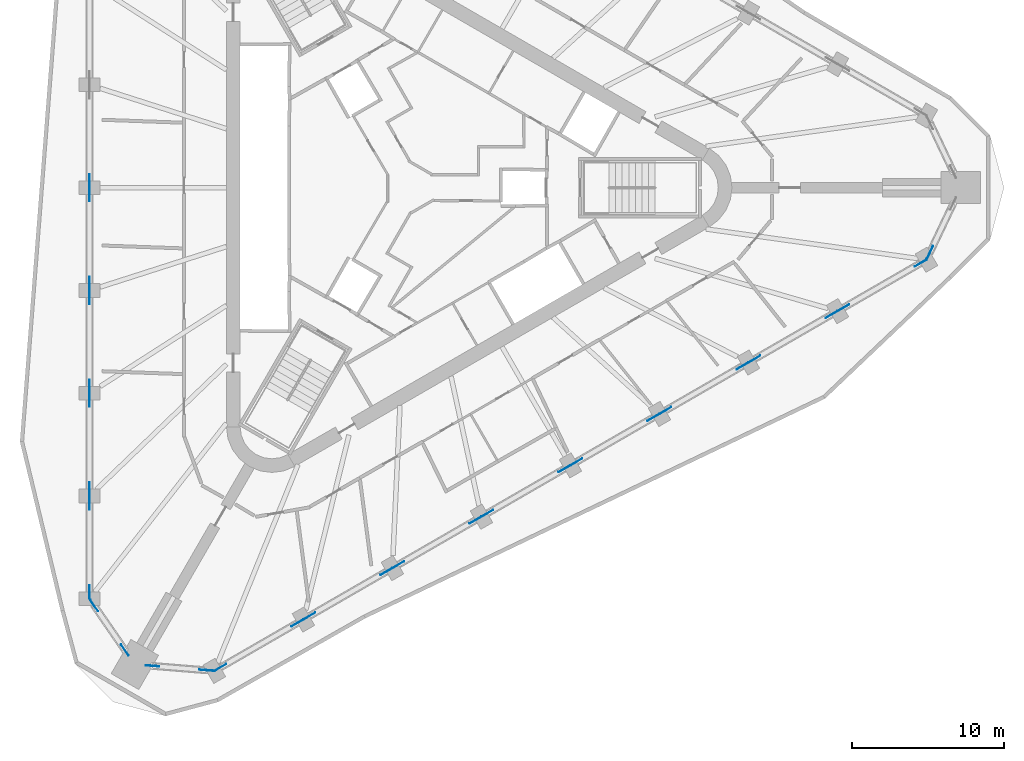
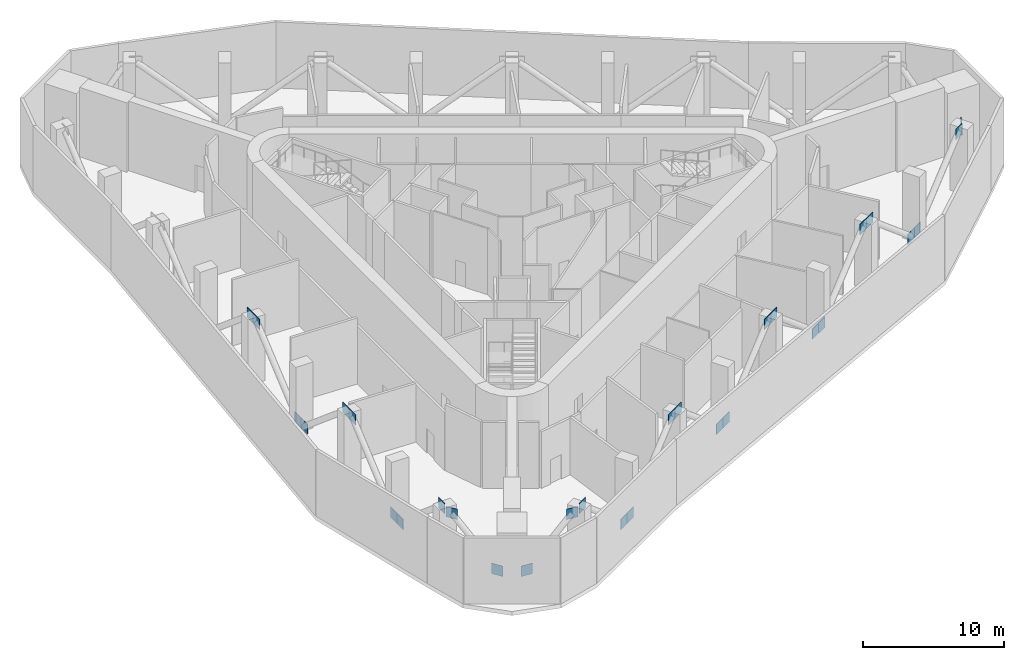
# One storey, part 9 of 12: 30 discrete accessories.
"""IFC4 building model written with IfcOpenShell, lengths in metres."""

from ifc_helpers import new_model, si_unit, direction, frame, origin, origin_2d, place, context, subcontext, project, spatial, rectangle, extrude, material, layer, layer_set, type_object, element, save


model = new_model("IFC4")

# Units and contexts
model_context = context("Model", 3, precision=1e-05, world=origin(), true_north=direction((0.0, 1.0)))
body_context = subcontext(model_context, "Body", "Model", "MODEL_VIEW")
ifc_project = project(units=[si_unit("LENGTHUNIT", "METRE"), si_unit("AREAUNIT", "SQUARE_METRE"), si_unit("VOLUMEUNIT", "CUBIC_METRE"), si_unit("PLANEANGLEUNIT", "RADIAN"), si_unit("MASSUNIT", "GRAM", prefix="KILO")], contexts=[model_context])

# Site, building, storey
site_placement = place(None, origin())
site = spatial("IfcSite", under=ifc_project, at=site_placement, CompositionType="ELEMENT")
building_placement = place(site_placement, origin())
building = spatial("IfcBuilding", under=site, at=building_placement, Name="Tanit Gate Tower", CompositionType="ELEMENT")
storey_placement = place(building_placement, frame((0.0, 0.0, 292.699951171875)))
storey = spatial("IfcBuildingStorey", under=building, at=storey_placement, Name="L65", CompositionType="ELEMENT", Elevation=292.699951171875)

# Discrete accessories
ifc_material = material(Name="Steel S460", Category="steel")
ifc_layer = layer(ifc_material, 0.0400390625)
ifc_layer_set = layer_set([ifc_layer], Name="GUSSET PLATE 900x900x40 S460")
discrete_accessory_type = type_object("IfcDiscreteAccessoryType", Name="GUSSET PLATE 900x900x40 S460", PredefinedType="BRACKET", material=ifc_layer_set)
for number, where, z_axis, x_axis, name in (
    (1, (-21.121337890625, -26.6337890625, 4.871337890625), (0.0, 0.0, 1.0), (0.0, 1.0, 0.0), "GUSSET PLATE NODE L65-089"),
    (2, (-21.121337890625, -20.762939453125, -0.071044921875), (0.0, 0.0, 1.0), (0.0, -1.0, 0.0), "GUSSET PLATE NODE L65-090"),
    (3, (-21.121337890625, -19.86279296875, -0.071044921875), (0.0, 0.0, 1.0), (0.0, 1.0, 0.0), "GUSSET PLATE NODE L65-091"),
    (4, (-21.121337890625, -13.991943359375, 4.871337890625), (0.0, 0.0, 1.0), (0.0, -1.0, 0.0), "GUSSET PLATE NODE L65-092"),
    (5, (-21.121337890625, -13.092041015625, 4.871337890625), (0.0, 0.0, 1.0), (0.0, 1.0, 0.0), "GUSSET PLATE NODE L65-093"),
    (6, (-21.121337890625, -7.220947265625, -0.071044921875), (0.0, 0.0, 1.0), (0.0, -1.0, 0.0), "GUSSET PLATE NODE L65-094"),
    (7, (-21.121337890625, -6.321044921875, -0.071044921875), (0.0, 0.0, 1.0), (0.0, 1.0, 0.0), "GUSSET PLATE NODE L65-095"),
    (8, (-21.121337890625, -0.449951171875, 4.871337890625), (0.0, 0.0, 1.0), (0.0, -1.0, 0.0), "GUSSET PLATE NODE L65-096"),
    (9, (-21.121337890625, 0.449951171875, 4.871337890625), (0.0, 0.0, 1.0), (0.0, 1.0, 0.0), "GUSSET PLATE NODE L65-097"),
    (10, (-20.810791015625, -27.533935546875, 4.6572265625), (0.0, 0.0, 1.0), (0.568016129876, -0.823017421566, 0.0), "GUSSET PLATE NODE L65-105"),
    (11, (-18.79541015625, -30.454345703125, 0.810302734375), (0.0, 0.0, 1.0), (-0.568016129876, 0.823017421566, 0.0), "GUSSET PLATE NODE L65-107"),
    (12, (-16.9765625, -31.50439453125, 0.810302734375), (0.0, 0.0, 1.0), (0.996762059771, -0.080407687448, 0.0), "GUSSET PLATE NODE L65-109"),
    (13, (-13.439697265625, -31.78955078125, 4.6572265625), (0.0, 0.0, 1.0), (-0.996762059771, 0.080407687448, 0.0), "GUSSET PLATE NODE L65-111"),
    (14, (-12.5048828125, -31.608642578125, 4.871337890625), (0.0, 0.0, 1.0), (0.866034130299, 0.499984884929, 0.0), "GUSSET PLATE NODE L65-113"),
    (15, (-7.42041015625, -28.673095703125, -0.071044921875), (0.0, 0.0, 1.0), (-0.866034130299, -0.499984884929, 0.0), "GUSSET PLATE NODE L65-115"),
    (16, (-6.64111328125, -28.22314453125, -0.071044921875), (0.0, 0.0, 1.0), (0.866025403784, 0.5, 0.0), "GUSSET PLATE NODE L65-117"),
    (17, (-1.556640625, -25.28759765625, 4.871337890625), (0.0, 0.0, 1.0), (-0.866025403784, -0.5, 0.0), "GUSSET PLATE NODE L65-119"),
    (18, (-0.77734375, -24.837646484375, 4.871337890625), (0.0, 0.0, 1.0), (0.866025403784, 0.5, 0.0), "GUSSET PLATE NODE L65-121"),
    (19, (4.30712890625, -21.902099609375, -0.071044921875), (0.0, 0.0, 1.0), (-0.866025403784, -0.5, 0.0), "GUSSET PLATE NODE L65-123"),
    (20, (5.086669921875, -21.4521484375, -0.071044921875), (0.0, 0.0, 1.0), (0.866025403784, 0.5, 0.0), "GUSSET PLATE NODE L65-125"),
    (21, (10.1708984375, -18.5166015625, 4.871337890625), (0.0, 0.0, 1.0), (-0.866025403784, -0.5, 0.0), "GUSSET PLATE NODE L65-127"),
    (22, (10.950439453125, -18.066650390625, 4.871337890625), (0.0, 0.0, 1.0), (0.866025403784, 0.5, 0.0), "GUSSET PLATE NODE L65-129"),
    (23, (16.034912109375, -15.131103515625, -0.071044921875), (0.0, 0.0, 1.0), (-0.866025403784, -0.5, 0.0), "GUSSET PLATE NODE L65-131"),
    (24, (16.814208984375, -14.68115234375, -0.071044921875), (0.0, 0.0, 1.0), (0.866025403784, 0.5, 0.0), "GUSSET PLATE NODE L65-133"),
    (25, (21.898681640625, -11.74560546875, 4.871337890625), (0.0, 0.0, 1.0), (-0.866025403784, -0.5, 0.0), "GUSSET PLATE NODE L65-135"),
    (26, (22.677978515625, -11.295654296875, 4.871337890625), (0.0, 0.0, 1.0), (0.866025403784, 0.5, 0.0), "GUSSET PLATE NODE L65-137"),
    (27, (27.762451171875, -8.360107421875, -0.071044921875), (0.0, 0.0, 1.0), (-0.866025403784, -0.5, 0.0), "GUSSET PLATE NODE L65-139"),
    (28, (28.5419921875, -7.91015625, -0.071044921875), (0.0, 0.0, 1.0), (0.866025403784, 0.5, 0.0), "GUSSET PLATE NODE L65-141"),
    (29, (33.62646484375, -4.974609375, 4.871337890625), (0.0, 0.0, 1.0), (-0.866025403784, -0.5, 0.0), "GUSSET PLATE NODE L65-143"),
    (30, (34.25048828125, -4.255615234375, 4.6572265625), (0.0, 0.0, 1.0), (0.428745929896, 0.903425109015, 0.0), "GUSSET PLATE NODE L65-145"),
):
    element("IfcDiscreteAccessory", number, at=place(storey_placement, frame(where, z_axis=z_axis, x_axis=x_axis)), inside=storey, type_object=discrete_accessory_type, Name=name, PredefinedType="BRACKET", context=body_context, shape_type="SweptSolid", body=[
        extrude(rectangle(XDim=0.89990234375, YDim=0.0400390625, at=origin_2d()), origin(), (0.0, 0.0, 1.0), 0.89990234375),
    ])

save(model, "model.ifc")
